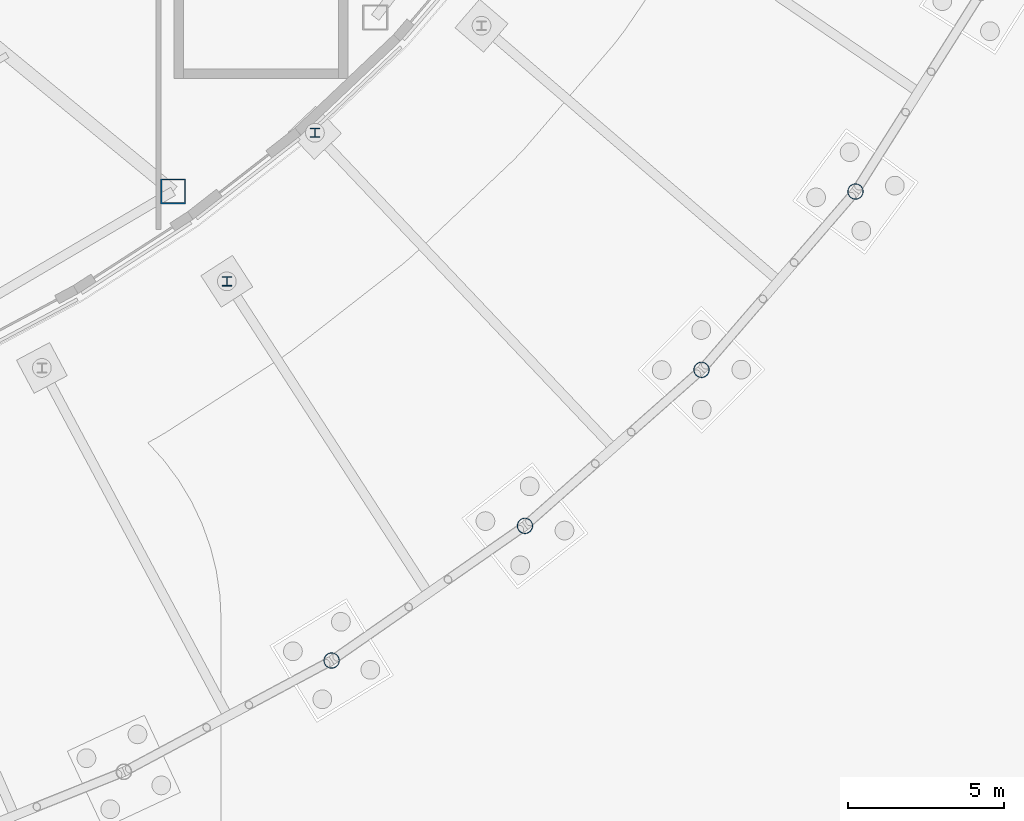
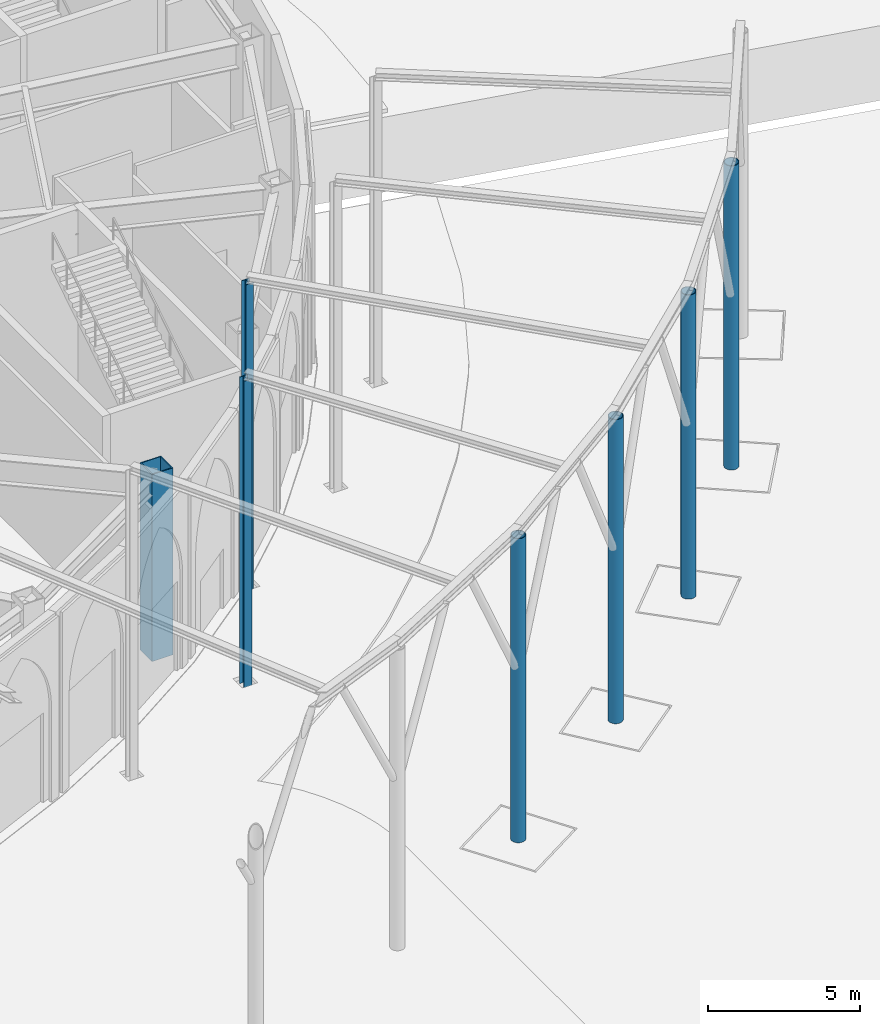
# One storey, part 14 of 79: 7 columns.
"""IFC4 building model written with IfcOpenShell, lengths in metres."""

import ifcopenshell
import ifcopenshell.guid

model = None  # the IFC model being written
_history = None  # IfcOwnerHistory: only IFC2X3 demands one
_inside = {}  # id of a spatial element -> (the spatial element, [elements in it])
_under = {}  # id of a project, library or spatial element -> (it, [spatial elements below it])
_declared = {}  # id of a project -> (the project, [libraries it declares])
_typed = {}  # id of a type object -> (the type object, [elements of that type])
_made_of = {}  # id of a material, layer set ... -> (it, [elements and type objects made of it])


def new_model(schema):
    """Start an empty IFC model of exactly this schema.

    Asked for "IFC4X3", IfcOpenShell would pick the latest addendum, in which some entities
    have other attributes; the version numbers below select the first issue.
    IFC2X3 requires an IfcOwnerHistory on every rooted entity: one is made here for all.
    """
    global model, _history
    if schema == "IFC4X3":
        model = ifcopenshell.file(schema_version=(4, 3, 0, 0))
    else:
        model = ifcopenshell.file(schema=schema)
    _inside.clear()
    _under.clear()
    _declared.clear()
    _typed.clear()
    _made_of.clear()
    _history = None
    if model.schema == "IFC2X3":
        org = make("IfcOrganization", Name="unknown")
        user = make(
            "IfcPersonAndOrganization",
            ThePerson=make("IfcPerson", FamilyName="unknown"),
            TheOrganization=org,
        )
        app = make(
            "IfcApplication",
            ApplicationDeveloper=org,
            Version="unknown",
            ApplicationFullName="unknown",
            ApplicationIdentifier="unknown",
        )
        _history = make(
            "IfcOwnerHistory",
            OwningUser=user,
            OwningApplication=app,
            ChangeAction="ADDED",
            CreationDate=0,
        )
    return model


def make(cls, **values):
    """One entity of the class cls with the attributes given. An attribute that is None is left unset."""
    return model.create_entity(
        cls, **{name: value for name, value in values.items() if value is not None}
    )


def rooted(cls, **values):
    """An entity with a GlobalId (a new one), such as an element, a storey or a relation."""
    return make(cls, GlobalId=ifcopenshell.guid.new(), OwnerHistory=_history, **values)


def si_unit(unit_type, name, prefix=None):
    """IfcSIUnit, for example si_unit("LENGTHUNIT", "METRE", prefix="MILLI")."""
    return make("IfcSIUnit", UnitType=unit_type, Prefix=prefix, Name=name)


def assignment(units):
    """IfcUnitAssignment: the units of a project."""
    return None if units is None else make("IfcUnitAssignment", Units=units)


def point(xyz):
    """IfcCartesianPoint."""
    return None if xyz is None else make("IfcCartesianPoint", Coordinates=xyz)


def direction(xyz):
    """IfcDirection."""
    return None if xyz is None else make("IfcDirection", DirectionRatios=xyz)


def frame(location, z_axis=None, x_axis=None):
    """IfcAxis2Placement3D, a coordinate frame: its origin and axes. An axis left out is left unset."""
    return make(
        "IfcAxis2Placement3D",
        Location=point(location),
        Axis=direction(z_axis),
        RefDirection=direction(x_axis),
    )


def frame_2d(location, x_axis=None):
    """IfcAxis2Placement2D, a coordinate frame in the plane: its origin and x axis."""
    return make(
        "IfcAxis2Placement2D", Location=point(location), RefDirection=direction(x_axis)
    )


def origin():
    """The frame at (0, 0, 0) with its axes left unset."""
    return frame((0.0, 0.0, 0.0))


def origin_2d():
    """The frame at (0, 0) in the plane with its x axis left unset."""
    return frame_2d((0.0, 0.0))


def place(relative_to, where):
    """IfcLocalPlacement: puts the frame where relative to a parent placement (None: the world)."""
    return make(
        "IfcLocalPlacement", PlacementRelTo=relative_to, RelativePlacement=where
    )


def context(
    kind, dimensions, precision=None, world=None, true_north=None, identifier=None
):
    """IfcGeometricRepresentationContext, for example the 3D "Model" context."""
    return make(
        "IfcGeometricRepresentationContext",
        ContextIdentifier=identifier,
        ContextType=kind,
        CoordinateSpaceDimension=dimensions,
        Precision=precision,
        WorldCoordinateSystem=world,
        TrueNorth=true_north,
    )


def subcontext(parent, identifier, kind, view, scale=None):
    """IfcGeometricRepresentationSubContext, for example "Body" below "Model"."""
    return make(
        "IfcGeometricRepresentationSubContext",
        ContextIdentifier=identifier,
        ContextType=kind,
        ParentContext=parent,
        TargetScale=scale,
        TargetView=view,
    )


def project(units=None, contexts=None):
    """IfcProject with its units and contexts."""
    return rooted(
        "IfcProject",
        Name="project",
        RepresentationContexts=contexts,
        UnitsInContext=assignment(units),
    )


def spatial(cls, under=None, at=None, **own):
    """A site, building, storey or space (cls), placed at a placement, below another one or the project."""
    s = rooted(cls, ObjectPlacement=at, **own)
    if under is not None:
        _under.setdefault(under.id(), (under, []))[1].append(s)
    return s


def profile(cls, at=None, kind="AREA", **sizes):
    """A parametric profile (cls). Its sizes go by their IFC names, for example OverallWidth=200.0."""
    return make(cls, ProfileType=kind, Position=at, **sizes)


def hollow_rectangle(**sizes):
    """IfcRectangleHollowProfileDef."""
    return profile("IfcRectangleHollowProfileDef", **sizes)


def hollow_circle(**sizes):
    """IfcCircleHollowProfileDef."""
    return profile("IfcCircleHollowProfileDef", **sizes)


def i_section(**sizes):
    """IfcIShapeProfileDef."""
    return profile("IfcIShapeProfileDef", **sizes)


def extrude(swept, where, along, depth):
    """IfcExtrudedAreaSolid: the profile swept, set in the frame where, extruded along a direction by depth."""
    return make(
        "IfcExtrudedAreaSolid",
        SweptArea=swept,
        Position=where,
        ExtrudedDirection=direction(along),
        Depth=depth,
    )


def shape(context_of_items, identifier, shape_type, items):
    """IfcShapeRepresentation: the items that make up one representation, for example the "Body"."""
    return make(
        "IfcShapeRepresentation",
        ContextOfItems=context_of_items,
        RepresentationIdentifier=identifier,
        RepresentationType=shape_type,
        Items=items,
    )


def material(Name=None, Category=None):
    """IfcMaterial."""
    return make("IfcMaterial", Name=Name, Category=Category)


def material_profile(
    of_material, cross_section, Name=None, Category=None, Priority=None
):
    """IfcMaterialProfile: a cross section and its material."""
    return make(
        "IfcMaterialProfile",
        Name=Name,
        Material=of_material,
        Profile=cross_section,
        Priority=Priority,
        Category=Category,
    )


def profile_set(profiles, Name=None, composite=None):
    """IfcMaterialProfileSet."""
    return make(
        "IfcMaterialProfileSet",
        Name=Name,
        MaterialProfiles=profiles,
        CompositeProfile=composite,
    )


def made_of(thing, what):
    """Note that an element or type object is made of a material, layer set ...; save() writes the relation."""
    if what is not None:
        _made_of.setdefault(what.id(), (what, []))[1].append(thing)
    return thing


def type_object(cls, material=None, **own):
    """A type object (cls), such as IfcWallType, which elements share."""
    return made_of(rooted(cls, **own), material)


def element(
    cls,
    number,
    at=None,
    inside=None,
    cuts=None,
    type_object=None,
    material=None,
    context=None,
    identifier="Body",
    shape_type=None,
    held_by="IfcProductDefinitionShape",
    body=None,
    shapes=None,
    **own,
):
    """One element of the class cls, such as IfcWall. Its Tag is "e" and its number.

    at: its placement. inside: the storey or other place that contains it. cuts: it is an
    opening in that element (IfcRelVoidsElement). A single representation is given by context,
    identifier, shape_type and body (its items); several are given by shapes. held_by: the class
    of the entity that holds the representations. save() writes the other relations.
    """
    e = rooted(cls, Tag="e%d" % number, ObjectPlacement=at, **own)
    if body is not None:
        shapes = [shape(context, identifier, shape_type, body)]
    if shapes is not None:
        e.Representation = make(held_by, Representations=shapes)
    if inside is not None:
        _inside.setdefault(inside.id(), (inside, []))[1].append(e)
    if cuts is not None:
        rooted(
            "IfcRelVoidsElement", RelatingBuildingElement=cuts, RelatedOpeningElement=e
        )
    if type_object is not None:
        _typed.setdefault(type_object.id(), (type_object, []))[1].append(e)
    return made_of(e, material)


def aggregate(whole, parts):
    """IfcRelAggregates: a whole, such as a stair, and the parts it consists of."""
    return rooted("IfcRelAggregates", RelatingObject=whole, RelatedObjects=parts)


def save(model, path):
    """Write the relations noted so far, then the file.

    IfcRelAggregates (storeys below a building ...), IfcRelContainedInSpatialStructure (elements
    in a storey), IfcRelDefinesByType, IfcRelAssociatesMaterial and IfcRelDeclares: one each for
    every whole, place, type object, material and project.
    """
    for whole, parts in _under.values():
        aggregate(whole, parts)
    for where, things in _inside.values():
        rooted(
            "IfcRelContainedInSpatialStructure",
            RelatedElements=things,
            RelatingStructure=where,
        )
    for kind, things in _typed.values():
        rooted("IfcRelDefinesByType", RelatedObjects=things, RelatingType=kind)
    for what, things in _made_of.values():
        rooted("IfcRelAssociatesMaterial", RelatedObjects=things, RelatingMaterial=what)
    for by, libraries in _declared.values():
        rooted("IfcRelDeclares", RelatingContext=by, RelatedDefinitions=libraries)
    model.write(path)


model = new_model("IFC4")

# Units and contexts
model_context = context("Model", 3, precision=1e-05, world=origin(), true_north=direction((0.0, 1.0)))
body_context = subcontext(model_context, "Body", "Model", "MODEL_VIEW")
ifc_project = project(units=[si_unit("LENGTHUNIT", "METRE"), si_unit("AREAUNIT", "SQUARE_METRE"), si_unit("VOLUMEUNIT", "CUBIC_METRE"), si_unit("PLANEANGLEUNIT", "RADIAN"), si_unit("MASSUNIT", "GRAM", prefix="KILO")], contexts=[model_context])

# Site, building, storey
site_placement = place(None, origin())
site = spatial("IfcSite", under=ifc_project, at=site_placement, CompositionType="ELEMENT")
building_placement = place(site_placement, origin())
building = spatial("IfcBuilding", under=site, at=building_placement, Name="Noorbagh Ring Tower", CompositionType="ELEMENT")
storey_placement = place(building_placement, origin())
storey = spatial("IfcBuildingStorey", under=building, at=storey_placement, Name="L00", CompositionType="ELEMENT", Elevation=0.0)

# Columns
ifc_material_1 = material(Name="Steel S355", Category="steel")
ifc_material_profile_1 = material_profile(ifc_material_1, hollow_circle(Radius=0.25390625, WallThickness=0.02490234375, at=origin_2d()), Name="CHS508x25")
ifc_profile_set_1 = profile_set([ifc_material_profile_1], Name="Steel S355")
column_type_1 = type_object("IfcColumnType", Name="GND-CANOPY-TRUNK", PredefinedType="COLUMN", material=ifc_profile_set_1)
for number, where, z_axis, x_axis, name in (
    (1, (39.532958984375, -43.306884765625, -0.14990234375), (0.0, 0.0, 1.0), (1.0, 0.0, 0.0), "Canopy trunk 16"),
    (2, (45.712890625, -39.0009765625, -0.14990234375), (0.0, 0.0, 1.0), (1.0, 0.0, 0.0), "Canopy trunk 17"),
    (3, (51.357177734375, -34.01416015625, -0.14990234375), (0.0, 0.0, 1.0), (1.0, 0.0, 0.0), "Canopy trunk 18"),
    (4, (56.279296875, -28.313232421875, -0.14990234375), (0.0, 0.0, 1.0), (1.0, 0.0, 0.0), "Canopy trunk 19"),
):
    element("IfcColumn", number, at=place(storey_placement, frame(where, z_axis=z_axis, x_axis=x_axis)), inside=storey, type_object=column_type_1, Name=name, PredefinedType="COLUMN", context=body_context, shape_type="SweptSolid", body=[
        extrude(hollow_circle(Radius=0.25390625, WallThickness=0.02490234375, at=origin_2d()), origin(), (0.0, 0.0, 1.0), 12.199951171875),
    ])
ifc_material_2 = material(Name="Steel S355", Category="steel")
ifc_material_profile_2 = material_profile(ifc_material_2, hollow_rectangle(XDim=0.800048828125, YDim=0.800048828125, WallThickness=0.0400390625, at=origin_2d()), Name="BOX800x800x40")
ifc_profile_set_2 = profile_set([ifc_material_profile_2], Name="Steel S355")
column_type_2 = type_object("IfcColumnType", Name="GND-COL-BOX800x800x40", PredefinedType="COLUMN", material=ifc_profile_set_2)
column_placement = place(storey_placement, frame((34.46484375, -28.306884765625, 0.0), z_axis=(0.0, 0.0, 1.0), x_axis=(1.0, 0.0, 0.0)))
element("IfcColumn", 5, at=column_placement, inside=storey, type_object=column_type_2, Name="L00/col/RP-30", PredefinedType="COLUMN", context=body_context, shape_type="SweptSolid", body=[
    extrude(hollow_rectangle(XDim=0.800048828125, YDim=0.800048828125, WallThickness=0.0400390625, at=origin_2d()), origin(), (0.0, 0.0, 1.0), 7.5),
])
ifc_material_3 = material(Name="Steel S355", Category="steel")
ifc_material_profile_3 = material_profile(ifc_material_3, i_section(OverallWidth=0.300048828125, OverallDepth=0.300048828125, WebThickness=0.010986328125, FlangeThickness=0.01904296875, FilletRadius=0.027099609375, at=origin_2d()), Name="HEB300")
ifc_profile_set_3 = profile_set([ifc_material_profile_3], Name="Steel S355")
column_type_3 = type_object("IfcColumnType", Name="GND-LINK-POST", PredefinedType="COLUMN", material=ifc_profile_set_3)
for number, where, z_axis, x_axis, name in (
    (6, (36.18408203125, -31.1845703125, -0.14990234375), (0.0, 0.0, 1.0), (1.0, 0.0, 0.0), "Canopy link post 16"),
    (7, (38.998779296875, -26.435302734375, -0.14990234375), (0.0, 0.0, 1.0), (1.0, 0.0, 0.0), "Canopy link post 17"),
):
    element("IfcColumn", number, at=place(storey_placement, frame(where, z_axis=z_axis, x_axis=x_axis)), inside=storey, type_object=column_type_3, Name=name, PredefinedType="COLUMN", context=body_context, shape_type="SweptSolid", body=[
        extrude(i_section(OverallWidth=0.300048828125, OverallDepth=0.300048828125, WebThickness=0.010986328125, FlangeThickness=0.01904296875, FilletRadius=0.027099609375, at=origin_2d()), origin(), (0.0, 0.0, 1.0), 12.2998046875),
    ])

save(model, "model.ifc")
